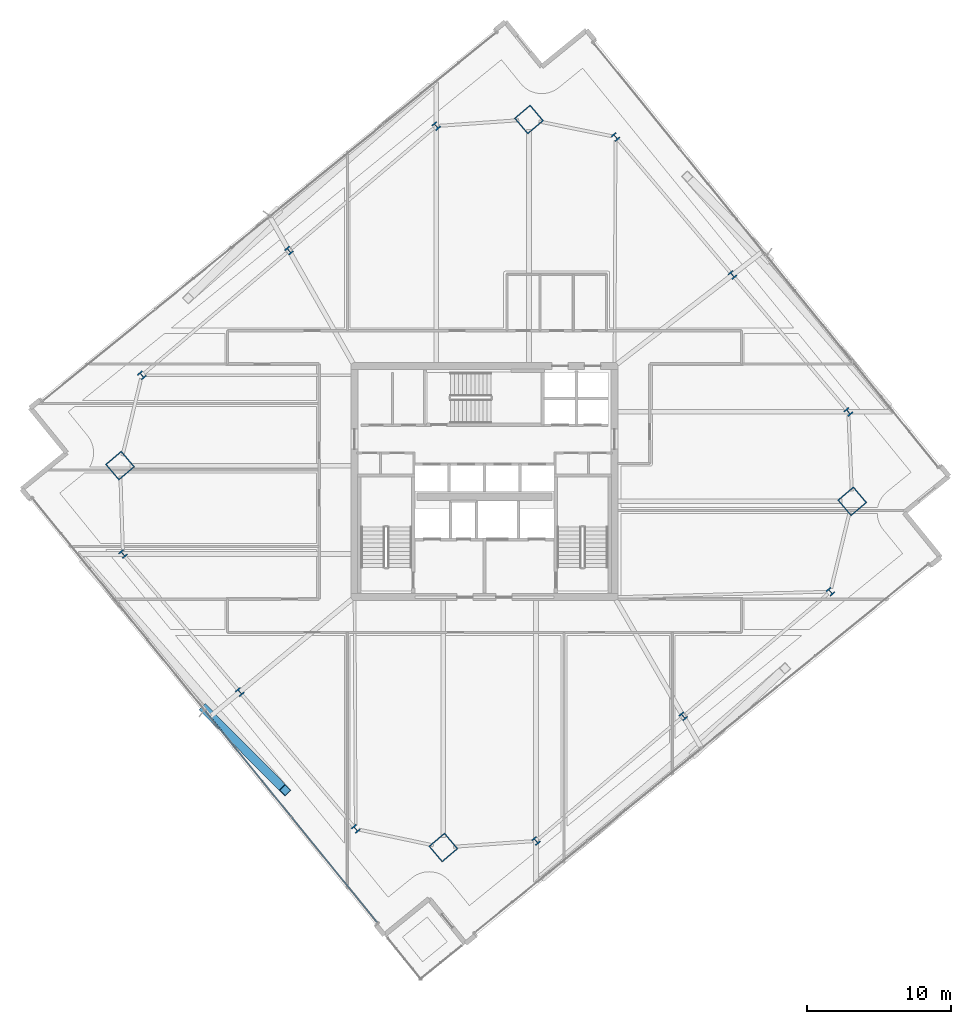
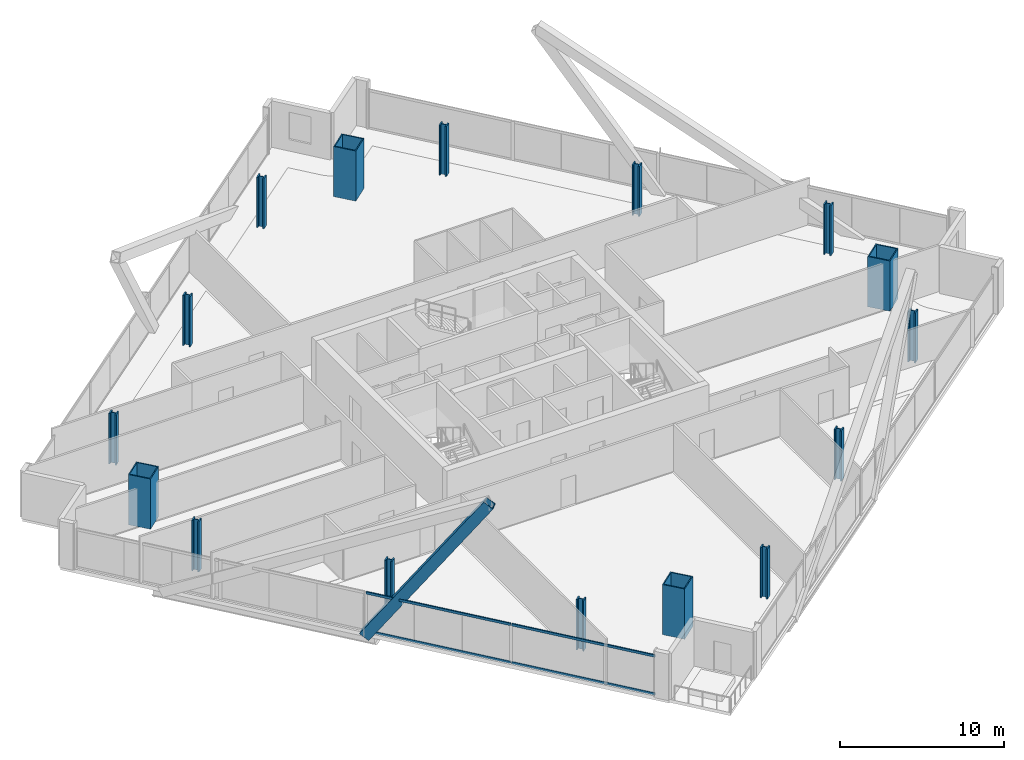
# One storey, part 1 of 36: 16 columns, 5 members, 1 element without a shape of its own.
"""IFC4 building model written with IfcOpenShell, lengths in metres."""

from ifc_helpers import new_model, si_unit, direction, frame, origin, origin_2d, place, context, subcontext, project, spatial, hollow_rectangle, i_section, extrude, material, material_profile, profile_set, type_object, element, aggregate, save


model = new_model("IFC4")

# Units and contexts
model_context = context("Model", 3, precision=1e-05, world=origin(), true_north=direction((0.0, 1.0)))
body_context = subcontext(model_context, "Body", "Model", "MODEL_VIEW")
ifc_project = project(units=[si_unit("LENGTHUNIT", "METRE"), si_unit("AREAUNIT", "SQUARE_METRE"), si_unit("VOLUMEUNIT", "CUBIC_METRE"), si_unit("PLANEANGLEUNIT", "RADIAN"), si_unit("MASSUNIT", "GRAM", prefix="KILO")], contexts=[model_context])

# Site, building, storey
site_placement = place(None, origin())
site = spatial("IfcSite", under=ifc_project, at=site_placement, CompositionType="ELEMENT")
building_placement = place(site_placement, origin())
building = spatial("IfcBuilding", under=site, at=building_placement, Name="Haldenkirk Collegiate Tower", CompositionType="ELEMENT")
storey_placement = place(building_placement, frame((0.0, 0.0, 159.449951171875)))
storey = spatial("IfcBuildingStorey", under=building, at=storey_placement, Name="L39", CompositionType="ELEMENT", Elevation=159.449951171875)

# Columns
ifc_material_1 = material(Name="Steel ASTM A913 Grade 65", Category="steel")
ifc_material_profile_1 = material_profile(ifc_material_1, i_section(OverallWidth=0.431884765625, OverallDepth=0.498046875, WebThickness=0.0556640625, FlangeThickness=0.0888671875, at=origin_2d()), Name="W14X500")
ifc_profile_set_1 = profile_set([ifc_material_profile_1], Name="Steel ASTM A913 Grade 65")
column_type_1 = type_object("IfcColumnType", Name="COL-INT-W14X500", PredefinedType="COLUMN", material=ifc_profile_set_1)
for number, where, z_axis, x_axis, name in (
    (1, (39.568603515625, 1.113525390625, 0.0), (0.0, 0.0, 1.0), (0.763232469783, 0.646123979643, 0.0), "L39 perimeter gravity column PC-S1"),
    (2, (49.762451171875, 9.7431640625, 0.0), (0.0, 0.0, 1.0), (0.763232469783, 0.646123979643, 0.0), "L39 perimeter gravity column PC-S2"),
    (3, (59.956298828125, 18.372802734375, 0.0), (0.0, 0.0, 1.0), (0.763232469783, 0.646123979643, 0.0), "L39 perimeter gravity column PC-S3"),
    (4, (61.199462890625, 30.82421875, 0.0), (0.0, 0.0, 1.0), (0.763232469783, 0.646123979643, 0.0), "L39 perimeter gravity column PC-E1"),
    (5, (53.17138671875, 40.307373046875, 0.0), (0.0, 0.0, 1.0), (0.763232469783, 0.646123979643, 0.0), "L39 perimeter gravity column PC-E2"),
    (6, (45.079833984375, 49.865234375, 0.0), (0.0, 0.0, 1.0), (0.763232469783, 0.646123979643, 0.0), "L39 perimeter gravity column PC-E3"),
    (7, (32.657470703125, 50.619384765625, 0.0), (0.0, 0.0, 1.0), (0.763232469783, 0.646123979643, 0.0), "L39 perimeter gravity column PC-N1"),
    (8, (22.463623046875, 41.98974609375, 0.0), (0.0, 0.0, 1.0), (0.763232469783, 0.646123979643, 0.0), "L39 perimeter gravity column PC-N2"),
    (9, (12.27001953125, 33.360107421875, 0.0), (0.0, 0.0, 1.0), (0.763232469783, 0.646123979643, 0.0), "L39 perimeter gravity column PC-N3"),
    (10, (10.96337890625, 20.9833984375, 0.0), (0.0, 0.0, 1.0), (0.763232469783, 0.646123979643, 0.0), "L39 perimeter gravity column PC-W1"),
    (11, (19.0546875, 11.425537109375, 0.0), (0.0, 0.0, 1.0), (0.763232469783, 0.646123979643, 0.0), "L39 perimeter gravity column PC-W2"),
    (12, (27.0830078125, 1.9423828125, 0.0), (0.0, 0.0, 1.0), (0.763232469783, 0.646123979643, 0.0), "L39 perimeter gravity column PC-W3"),
):
    element("IfcColumn", number, at=place(storey_placement, frame(where, z_axis=z_axis, x_axis=x_axis)), inside=storey, type_object=column_type_1, Name=name, PredefinedType="COLUMN", context=body_context, shape_type="SweptSolid", body=[
        extrude(i_section(OverallWidth=0.431884765625, OverallDepth=0.498046875, WebThickness=0.0556640625, FlangeThickness=0.0888671875, at=origin_2d()), origin(), (0.0, 0.0, 1.0), 3.75),
    ])
ifc_material_2 = material(Name="Steel ASTM A572 Grade 50", Category="steel")
ifc_material_profile_2 = material_profile(ifc_material_2, hollow_rectangle(XDim=1.449951171875, YDim=1.449951171875, WallThickness=0.070068359375, at=origin_2d()), Name="BOX1450X1450X70")
ifc_profile_set_2 = profile_set([ifc_material_profile_2], Name="Steel ASTM A572 Grade 50")
column_type_2 = type_object("IfcColumnType", Name="COL-MEGA-BOX1450X1450X70", PredefinedType="COLUMN", material=ifc_profile_set_2)
for number, where, z_axis, x_axis, name in (
    (13, (33.149169921875, 0.65771484375, 0.0), (0.0, 0.0, 1.0), (0.763232469783, 0.646123979643, 0.0), "L39 corner mega-column MC1"),
    (14, (61.465087890625, 24.62890625, 0.0), (0.0, 0.0, 1.0), (0.763232469783, 0.646123979643, 0.0), "L39 corner mega-column MC2"),
    (15, (39.076904296875, 51.074951171875, 0.0), (0.0, 0.0, 1.0), (0.763232469783, 0.646123979643, 0.0), "L39 corner mega-column MC3"),
    (16, (10.760986328125, 27.103759765625, 0.0), (0.0, 0.0, 1.0), (0.763232469783, 0.646123979643, 0.0), "L39 corner mega-column MC4"),
):
    element("IfcColumn", number, at=place(storey_placement, frame(where, z_axis=z_axis, x_axis=x_axis)), inside=storey, type_object=column_type_2, Name=name, PredefinedType="COLUMN", context=body_context, shape_type="SweptSolid", body=[
        extrude(hollow_rectangle(XDim=1.449951171875, YDim=1.449951171875, WallThickness=0.070068359375, at=origin_2d()), origin(), (0.0, 0.0, 1.0), 3.75),
    ])

# Curtain wall, members
ifc_material_3 = material(Name="Anodised architectural bronze aluminium", Category="aluminium")
curtain_wall_type = type_object("IfcCurtainWallType", Name="CW-SYS1-CONVEX-LOW", PredefinedType="USERDEFINED", material=ifc_material_3)
curtain_wall_placement = place(storey_placement, origin())
curtain_wall = element("IfcCurtainWall", 17, at=curtain_wall_placement, inside=storey, type_object=curtain_wall_type, Name="L39 Lower tower convex bronze-framed unitised curtain wall", ObjectType="UNITISED CURTAIN WALL", PredefinedType="USERDEFINED")
ifc_material_profile_3 = material_profile(ifc_material_3, hollow_rectangle(XDim=0.080078125, YDim=0.179931640625, WallThickness=0.0048828125, at=origin_2d()), Name="CW-TRN-1A")
ifc_profile_set_3 = profile_set([ifc_material_profile_3], Name="Anodised architectural bronze aluminium")
member_type_1 = type_object("IfcMemberType", Name="CW-TRN-1A", PredefinedType="USERDEFINED", material=ifc_profile_set_3)
member_1_placement = place(storey_placement, frame((28.578857421875, -4.5400390625, 0.0400390625), z_axis=(-0.630678849667, 0.776043934699, 0.0), x_axis=(-0.776043934699, -0.630678849667, 0.0)))
member_1 = element("IfcMember", 18, at=member_1_placement, type_object=member_type_1, Name="CW-1A transom 1.1", ObjectType="TRANSOM", PredefinedType="USERDEFINED", context=body_context, shape_type="SweptSolid", body=[
    extrude(hollow_rectangle(XDim=0.080078125, YDim=0.179931640625, WallThickness=0.0048828125, at=origin_2d()), origin(), (0.0, 0.0, 1.0), 9.380126953125),
])
member_2_placement = place(storey_placement, frame((28.578857421875, -4.5400390625, 2.87109375), z_axis=(-0.630678849667, 0.776043934699, 0.0), x_axis=(-0.776043934699, -0.630678849667, 0.0)))
member_2 = element("IfcMember", 19, at=member_2_placement, type_object=member_type_1, Name="CW-1A transom 1.2", ObjectType="TRANSOM", PredefinedType="USERDEFINED", context=body_context, shape_type="SweptSolid", body=[
    extrude(hollow_rectangle(XDim=0.080078125, YDim=0.179931640625, WallThickness=0.0048828125, at=origin_2d()), origin(), (0.0, 0.0, 1.0), 9.380126953125),
])
member_3_placement = place(storey_placement, frame((22.612548828125, 2.801513671875, 0.0400390625), z_axis=(-0.630675557377, 0.77604661028, 0.0), x_axis=(-0.77604661028, -0.630675557377, 0.0)))
member_3 = element("IfcMember", 20, at=member_3_placement, type_object=member_type_1, Name="CW-1A transom 2.1", ObjectType="TRANSOM", PredefinedType="USERDEFINED", context=body_context, shape_type="SweptSolid", body=[
    extrude(hollow_rectangle(XDim=0.080078125, YDim=0.179931640625, WallThickness=0.0048828125, at=origin_2d()), origin(), (0.0, 0.0, 1.0), 9.419921875),
])
member_4_placement = place(storey_placement, frame((22.612548828125, 2.801513671875, 2.87109375), z_axis=(-0.630675557377, 0.77604661028, 0.0), x_axis=(-0.77604661028, -0.630675557377, 0.0)))
member_4 = element("IfcMember", 21, at=member_4_placement, type_object=member_type_1, Name="CW-1A transom 2.2", ObjectType="TRANSOM", PredefinedType="USERDEFINED", context=body_context, shape_type="SweptSolid", body=[
    extrude(hollow_rectangle(XDim=0.080078125, YDim=0.179931640625, WallThickness=0.0048828125, at=origin_2d()), origin(), (0.0, 0.0, 1.0), 9.419921875),
])
aggregate(curtain_wall, [member_1, member_2, member_3, member_4])

# Member
ifc_material_profile_4 = material_profile(ifc_material_2, hollow_rectangle(XDim=0.60009765625, YDim=0.719970703125, WallThickness=0.044921875, at=origin_2d()), Name="BOX720X600X45")
ifc_profile_set_4 = profile_set([ifc_material_profile_4], Name="Steel ASTM A572 Grade 50")
member_type_2 = type_object("IfcMemberType", Name="MBR-MEGABRACE-BOX720X600X45", PredefinedType="BRACE", material=ifc_profile_set_4)
member_5_placement = place(storey_placement, frame((16.643798828125, 10.209228515625, -0.300048828125), z_axis=(0.404026433813, -0.40699538631, 0.819217551267), x_axis=(0.709690570833, 0.704513515605, 0.0)))
element("IfcMember", 22, at=member_5_placement, inside=storey, type_object=member_type_2, Name="Perimeter Mega Brace Z3 L39-L41 WR", PredefinedType="BRACE", context=body_context, shape_type="SweptSolid", body=[
    extrude(hollow_rectangle(XDim=0.60009765625, YDim=0.719970703125, WallThickness=0.044921875, at=origin_2d()), origin(), (0.0, 0.0, 1.0), 13.732666015625),
])

save(model, "model.ifc")
